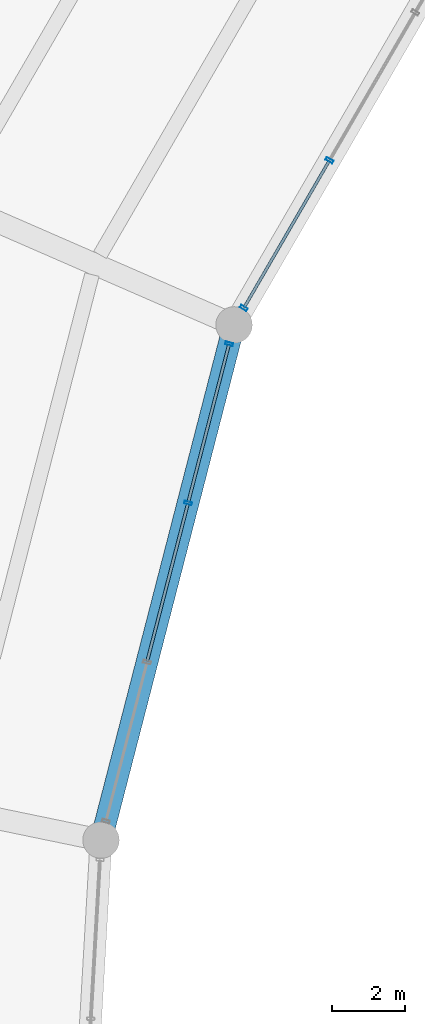
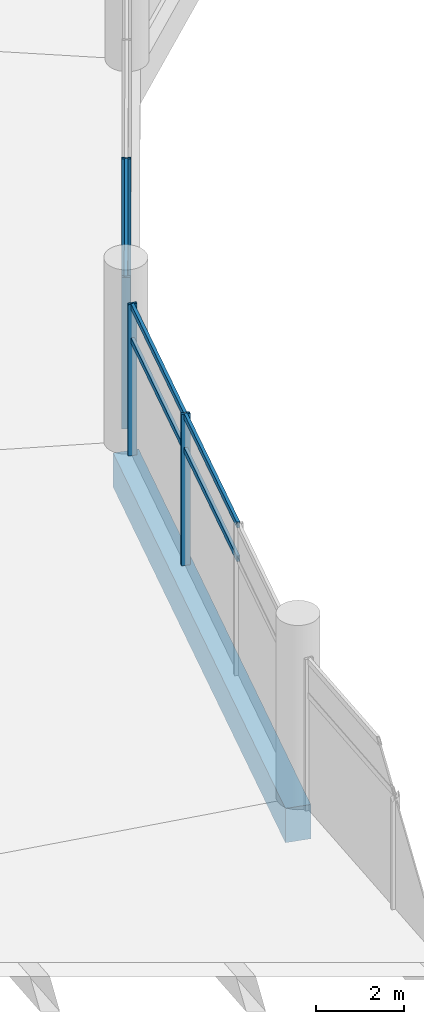
# One storey, part 57 of 184: 10 members, 1 beam, 2 elements without a shape of their own.
"""IFC4 building model written with IfcOpenShell, lengths in metres."""

from ifc_helpers import new_model, si_unit, direction, frame, origin, origin_2d, place, context, subcontext, project, spatial, rectangle, hollow_rectangle, extrude, material, layer, layer_set, material_profile, profile_set, type_object, element, aggregate, save


model = new_model("IFC4")

# Units and contexts
model_context = context("Model", 3, precision=1e-05, world=origin(), true_north=direction((0.0, 1.0)))
body_context = subcontext(model_context, "Body", "Model", "MODEL_VIEW")
ifc_project = project(units=[si_unit("LENGTHUNIT", "METRE"), si_unit("AREAUNIT", "SQUARE_METRE"), si_unit("VOLUMEUNIT", "CUBIC_METRE"), si_unit("PLANEANGLEUNIT", "RADIAN"), si_unit("MASSUNIT", "GRAM", prefix="KILO")], contexts=[model_context])

# Site, building, storey
site_placement = place(None, origin())
site = spatial("IfcSite", under=ifc_project, at=site_placement, CompositionType="ELEMENT")
building_placement = place(site_placement, origin())
building = spatial("IfcBuilding", under=site, at=building_placement, Name="Kazemori Nagisa Stadium", CompositionType="ELEMENT")
storey_placement = place(building_placement, frame((0.0, 0.0, 10.5400390625)))
storey = spatial("IfcBuildingStorey", under=building, at=storey_placement, Name="L02", CompositionType="ELEMENT", Elevation=10.5400390625)

# Beam
ifc_material_1 = material(Name="Concrete C40/50 (Fc42)", Category="concrete")
ifc_material_profile_1 = material_profile(ifc_material_1, rectangle(XDim=0.60009765625, YDim=0.949951171875, at=origin_2d()), Name="RC-BM-600x950")
ifc_profile_set_1 = profile_set([ifc_material_profile_1], Name="Concrete C40/50 (Fc42)")
beam_type = type_object("IfcBeamType", Name="Beam_BG-RC600X950", PredefinedType="BEAM", material=ifc_profile_set_1)
beam_placement = place(storey_placement, frame((58.114013671875, 130.287109375, -0.735107421875), z_axis=(-0.249966077383, -0.9682545947, 0.0), x_axis=(0.9682545947, -0.249966077383, 0.0)))
element("IfcBeam", 1, at=beam_placement, inside=storey, type_object=beam_type, Name="Ring girder BG-RC600X950 L02 R1-13", PredefinedType="BEAM", context=body_context, shape_type="SweptSolid", body=[
    extrude(rectangle(XDim=0.60009765625, YDim=0.949951171875, at=origin_2d()), origin(), (0.0, 0.0, 1.0), 14.58984375),
])

# Curtain wall, members
ifc_material_2 = material(Name="Anodised aluminium 6063-T5", Category="aluminium")
ifc_layer_1 = layer(ifc_material_2, 0.2099609375, Name="Anodised aluminium 6063-T5", Category="aluminium")
ifc_layer_set_1 = layer_set([ifc_layer_1], Name="Anodised aluminium 6063-T5")
curtain_wall_type_1 = type_object("IfcCurtainWallType", Name="CW_L02B_71", PredefinedType="USERDEFINED", material=ifc_layer_set_1)
curtain_wall_1_placement = place(storey_placement, origin())
curtain_wall_1 = element("IfcCurtainWall", 2, at=curtain_wall_1_placement, inside=storey, type_object=curtain_wall_type_1, Name="Unitised curtain wall CW-L02B-71 L02", ObjectType="UNITISED CURTAIN WALL", PredefinedType="USERDEFINED")
ifc_material_3 = material(Name="Aluminium 6063-T5 anodised", Category="aluminium")
ifc_material_profile_2 = material_profile(ifc_material_3, hollow_rectangle(XDim=0.080078125, YDim=0.2099609375, WallThickness=0.0048828125, at=origin_2d()), Name="ALU-MULL-80x210x5")
ifc_profile_set_2 = profile_set([ifc_material_profile_2], Name="Aluminium 6063-T5 anodised")
member_type_1 = type_object("IfcMemberType", Name="Mullion_M02", PredefinedType="MULLION", material=ifc_profile_set_2)
member_1_placement = place(storey_placement, frame((60.731689453125, 134.801513671875, 0.0), z_axis=(0.0, 0.0, 1.0), x_axis=(-0.501611590054, -0.865092950337, 0.0)))
member_1 = element("IfcMember", 3, at=member_1_placement, type_object=member_type_1, Name="Curtain wall mullion CW-L02B-71-M3", PredefinedType="MULLION", context=body_context, shape_type="SweptSolid", body=[
    extrude(hollow_rectangle(XDim=0.080078125, YDim=0.2099609375, WallThickness=0.0048828125, at=origin_2d()), origin(), (0.0, 0.0, 1.0), 4.18994140625),
])
member_2_placement = place(storey_placement, frame((58.38232421875, 130.75, 0.0), z_axis=(0.0, 0.0, 1.0), x_axis=(-0.501611590054, -0.865092950337, 0.0)))
member_2 = element("IfcMember", 4, at=member_2_placement, type_object=member_type_1, Name="Curtain wall mullion CW-L02B-71-M4", PredefinedType="MULLION", context=body_context, shape_type="SweptSolid", body=[
    extrude(hollow_rectangle(XDim=0.080078125, YDim=0.2099609375, WallThickness=0.0048828125, at=origin_2d()), origin(), (0.0, 0.0, 1.0), 4.18994140625),
])

ifc_layer_2 = layer(ifc_material_2, 0.2099609375, Name="Anodised aluminium 6063-T5", Category="aluminium")
ifc_layer_set_2 = layer_set([ifc_layer_2], Name="Anodised aluminium 6063-T5")
curtain_wall_type_2 = type_object("IfcCurtainWallType", Name="CW_L02B_68", PredefinedType="USERDEFINED", material=ifc_layer_set_2)
curtain_wall_2_placement = place(storey_placement, origin())
curtain_wall_2 = element("IfcCurtainWall", 5, at=curtain_wall_2_placement, inside=storey, type_object=curtain_wall_type_2, Name="Unitised curtain wall CW-L02B-68 L02", ObjectType="UNITISED CURTAIN WALL", PredefinedType="USERDEFINED")
member_3_placement = place(storey_placement, frame((57.980224609375, 129.76904296875, 0.0), z_axis=(0.0, 0.0, 1.0), x_axis=(-0.249964642418, -0.968254965152, 0.0)))
member_3 = element("IfcMember", 6, at=member_3_placement, type_object=member_type_1, Name="Curtain wall mullion CW-L02B-68-M1", PredefinedType="MULLION", context=body_context, shape_type="SweptSolid", body=[
    extrude(hollow_rectangle(XDim=0.080078125, YDim=0.2099609375, WallThickness=0.0048828125, at=origin_2d()), origin(), (0.0, 0.0, 1.0), 4.18994140625),
])
member_4_placement = place(storey_placement, frame((56.853759765625, 125.405517578125, 0.0), z_axis=(0.0, 0.0, 1.0), x_axis=(-0.249964642418, -0.968254965152, 0.0)))
member_4 = element("IfcMember", 7, at=member_4_placement, type_object=member_type_1, Name="Curtain wall mullion CW-L02B-68-M2", PredefinedType="MULLION", context=body_context, shape_type="SweptSolid", body=[
    extrude(hollow_rectangle(XDim=0.080078125, YDim=0.2099609375, WallThickness=0.0048828125, at=origin_2d()), origin(), (0.0, 0.0, 1.0), 4.18994140625),
])

# Member
ifc_material_profile_3 = material_profile(ifc_material_3, hollow_rectangle(XDim=0.080078125, YDim=0.159912109375, WallThickness=0.00390625, at=origin_2d()), Name="ALU-TRAN-80x160x4")
ifc_profile_set_3 = profile_set([ifc_material_profile_3], Name="Aluminium 6063-T5 anodised")
member_type_2 = type_object("IfcMemberType", Name="Transom_T02", PredefinedType="USERDEFINED", material=ifc_profile_set_3)
member_5_placement = place(storey_placement, frame((60.721435546875, 134.7841796875, 3.184326171875), z_axis=(-0.501610282552, -0.865093708472, 0.0), x_axis=(0.865093708472, -0.501610282552, 0.0)))
member_5 = element("IfcMember", 8, at=member_5_placement, type_object=member_type_2, Name="Curtain wall transom CW-L02B-71-T3-mid", ObjectType="TRANSOM", PredefinedType="USERDEFINED", context=body_context, shape_type="SweptSolid", body=[
    extrude(hollow_rectangle(XDim=0.080078125, YDim=0.159912109375, WallThickness=0.00390625, at=origin_2d()), origin(), (0.0, 0.0, 1.0), 4.643310546875),
])

member_6_placement = place(storey_placement, frame((60.721435546875, 134.7841796875, 4.119873046875), z_axis=(-0.501610282552, -0.865093708472, 0.0), x_axis=(0.865093708472, -0.501610282552, 0.0)))
member_6 = element("IfcMember", 9, at=member_6_placement, type_object=member_type_2, Name="Curtain wall transom CW-L02B-71-T3-head", ObjectType="TRANSOM", PredefinedType="USERDEFINED", context=body_context, shape_type="SweptSolid", body=[
    extrude(hollow_rectangle(XDim=0.080078125, YDim=0.159912109375, WallThickness=0.00390625, at=origin_2d()), origin(), (0.0, 0.0, 1.0), 4.643310546875),
])

aggregate(curtain_wall_1, [member_1, member_2, member_5, member_6])

member_7_placement = place(storey_placement, frame((57.975341796875, 129.749755859375, 3.184326171875), z_axis=(-0.25000034168, -0.96824574833, 0.0), x_axis=(0.96824574833, -0.25000034168, 0.0)))
member_7 = element("IfcMember", 10, at=member_7_placement, type_object=member_type_2, Name="Curtain wall transom CW-L02B-68-T1-mid", ObjectType="TRANSOM", PredefinedType="USERDEFINED", context=body_context, shape_type="SweptSolid", body=[
    extrude(hollow_rectangle(XDim=0.080078125, YDim=0.159912109375, WallThickness=0.00390625, at=origin_2d()), origin(), (0.0, 0.0, 1.0), 4.466796875),
])

member_8_placement = place(storey_placement, frame((57.975341796875, 129.749755859375, 4.119873046875), z_axis=(-0.25000034168, -0.96824574833, 0.0), x_axis=(0.96824574833, -0.25000034168, 0.0)))
member_8 = element("IfcMember", 11, at=member_8_placement, type_object=member_type_2, Name="Curtain wall transom CW-L02B-68-T1-head", ObjectType="TRANSOM", PredefinedType="USERDEFINED", context=body_context, shape_type="SweptSolid", body=[
    extrude(hollow_rectangle(XDim=0.080078125, YDim=0.159912109375, WallThickness=0.00390625, at=origin_2d()), origin(), (0.0, 0.0, 1.0), 4.466796875),
])

member_9_placement = place(storey_placement, frame((56.848876953125, 125.38623046875, 3.184326171875), z_axis=(-0.25000034168, -0.96824574833, 0.0), x_axis=(0.96824574833, -0.25000034168, 0.0)))
member_9 = element("IfcMember", 12, at=member_9_placement, type_object=member_type_2, Name="Curtain wall transom CW-L02B-68-T2-mid", ObjectType="TRANSOM", PredefinedType="USERDEFINED", context=body_context, shape_type="SweptSolid", body=[
    extrude(hollow_rectangle(XDim=0.080078125, YDim=0.159912109375, WallThickness=0.00390625, at=origin_2d()), origin(), (0.0, 0.0, 1.0), 4.466796875),
])

member_10_placement = place(storey_placement, frame((56.848876953125, 125.38623046875, 4.119873046875), z_axis=(-0.25000034168, -0.96824574833, 0.0), x_axis=(0.96824574833, -0.25000034168, 0.0)))
member_10 = element("IfcMember", 13, at=member_10_placement, type_object=member_type_2, Name="Curtain wall transom CW-L02B-68-T2-head", ObjectType="TRANSOM", PredefinedType="USERDEFINED", context=body_context, shape_type="SweptSolid", body=[
    extrude(hollow_rectangle(XDim=0.080078125, YDim=0.159912109375, WallThickness=0.00390625, at=origin_2d()), origin(), (0.0, 0.0, 1.0), 4.466796875),
])

aggregate(curtain_wall_2, [member_3, member_4, member_7, member_8, member_9, member_10])

save(model, "model.ifc")
